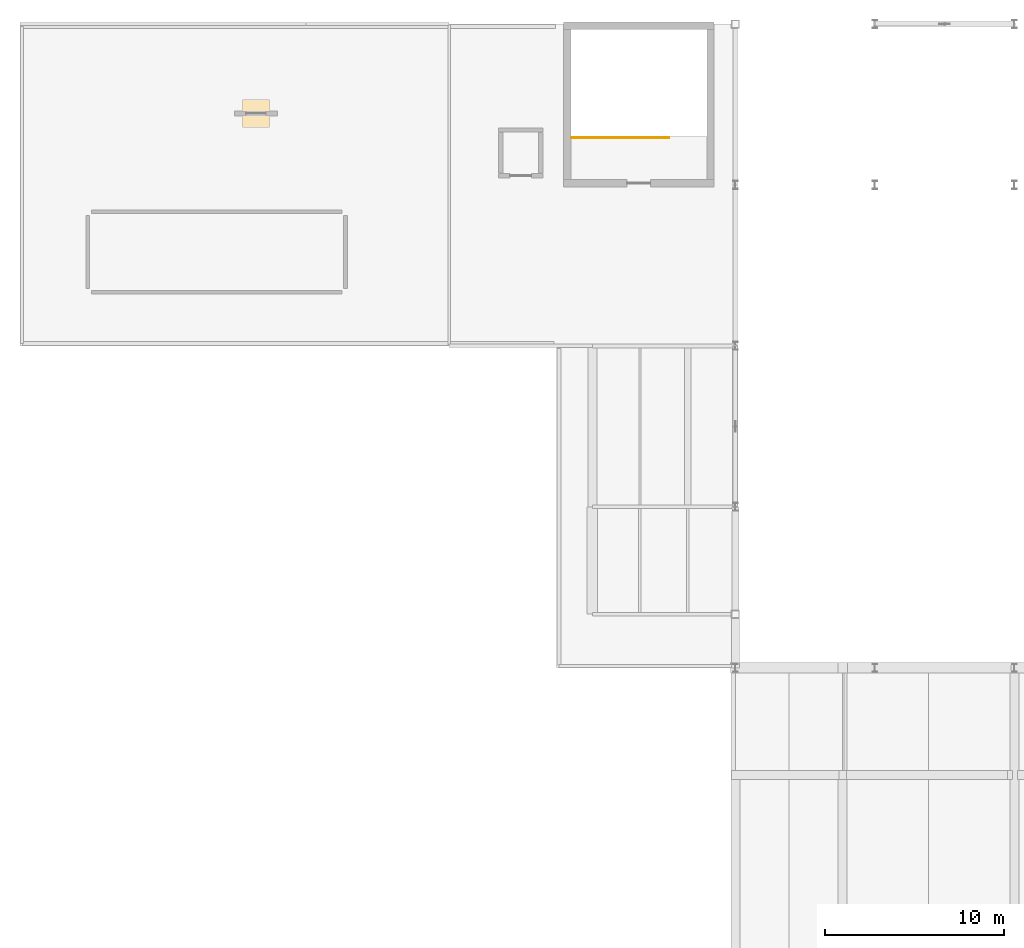
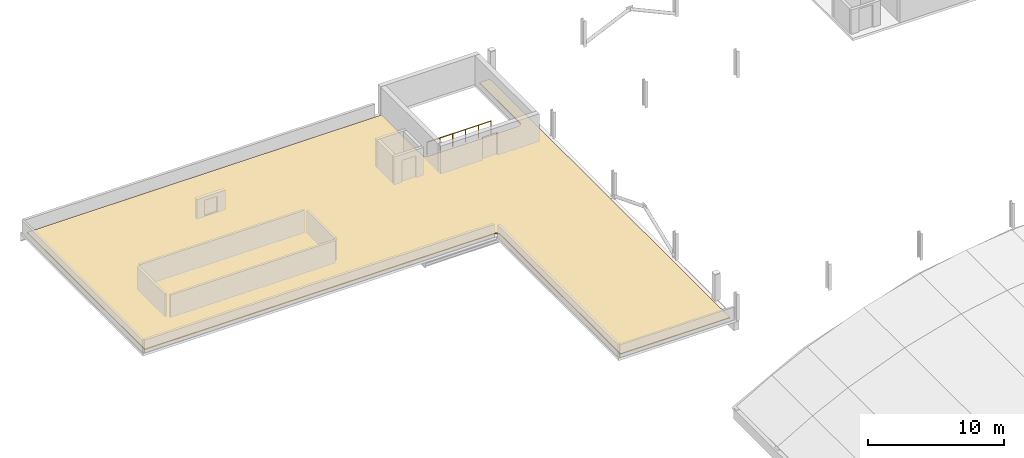
# One storey, part 12 of 12: 1 covering, 1 railing.
"""IFC4 building model written with IfcOpenShell, lengths in metres."""

from ifc_helpers import new_model, si_unit, derived_unit, direction, frame, origin, origin_2d, place, context, subcontext, project, spatial, polyline, circle, outline, extrude, material, layer, layer_set, type_object, element, save


model = new_model("IFC4")

# Units and contexts
model_context = context("Model", 3, precision=1e-05, world=origin(), true_north=direction((0.0, 1.0)))
body_context = subcontext(model_context, "Body", "Model", "MODEL_VIEW")
ifc_project = project(units=[si_unit("LENGTHUNIT", "METRE"), si_unit("AREAUNIT", "SQUARE_METRE"), si_unit("VOLUMEUNIT", "CUBIC_METRE"), si_unit("PLANEANGLEUNIT", "RADIAN"), si_unit("MASSUNIT", "GRAM", prefix="KILO"), derived_unit("THERMALTRANSMITTANCEUNIT", [(si_unit("POWERUNIT", "WATT"), 1), (si_unit("LENGTHUNIT", "METRE"), -2), (si_unit("THERMODYNAMICTEMPERATUREUNIT", "KELVIN"), -1)])], contexts=[model_context])

# Site, building, storey
site_placement = place(None, origin())
site = spatial("IfcSite", under=ifc_project, at=site_placement, CompositionType="ELEMENT")
building_placement = place(site_placement, origin())
building = spatial("IfcBuilding", under=site, at=building_placement, Name="Nallur Shell Playhouse", CompositionType="ELEMENT")
storey_placement = place(building_placement, frame((0.0, 0.0, 28.800048828125)))
storey = spatial("IfcBuildingStorey", under=building, at=storey_placement, Name="RF1", CompositionType="ELEMENT", Elevation=28.800048828125)

# Covering
ifc_material_1 = material(Name="Standing-Seam Zinc-Aluminium Acoustic Roof Build-Up", Category="aluminium")
ifc_layer = layer(ifc_material_1, 0.080078125)
ifc_layer_set = layer_set([ifc_layer], Name="Standing-Seam Zinc-Aluminium Acoustic Roof Build-Up")
covering_type = type_object("IfcCoveringType", Name="CV-ROOF-MEMB2", PredefinedType="ROOFING", material=ifc_layer_set)
covering_placement = place(storey_placement, origin())
element("IfcCovering", 1, at=covering_placement, inside=storey, type_object=covering_type, Name="RF1 insulated waterproof roof covering 42", PredefinedType="ROOFING", context=body_context, shape_type="SweptSolid", body=[
    extrude(outline(polyline([(54.35009765625, 65.0), (54.348388671875, 65.0341796875), (54.34326171875, 65.068359375), (54.3349609375, 65.1015625), (54.323486328125, 65.1337890625), (54.30859375, 65.1650390625), (54.291015625, 65.1943359375), (54.2705078125, 65.221923828125), (54.24755859375, 65.24755859375), (54.221923828125, 65.2705078125), (54.1943359375, 65.291015625), (54.1650390625, 65.30859375), (54.1337890625, 65.323486328125), (54.1015625, 65.3349609375), (54.068359375, 65.34326171875), (54.0341796875, 65.348388671875), (54.0, 65.35009765625), (24.35009765625, 65.35009765625), (24.35009765625, 82.64990234375), (54.449951171875, 82.64990234375), (54.449951171875, 76.699951171875), (54.45166015625, 76.665771484375), (54.456787109375, 76.631591796875), (54.465087890625, 76.598388671875), (54.4765625, 76.566162109375), (54.4912109375, 76.534912109375), (54.509033203125, 76.505615234375), (54.529296875, 76.47802734375), (54.552490234375, 76.452392578125), (54.577880859375, 76.429443359375), (54.605712890625, 76.408935546875), (54.635009765625, 76.391357421875), (54.666015625, 76.376708984375), (54.698486328125, 76.364990234375), (54.731689453125, 76.356689453125), (54.765625, 76.351806640625), (54.800048828125, 76.35009765625), (62.39990234375, 76.35009765625), (62.434326171875, 76.351806640625), (62.46826171875, 76.356689453125), (62.501708984375, 76.364990234375), (62.533935546875, 76.376708984375), (62.56494140625, 76.391357421875), (62.594482421875, 76.408935546875), (62.6220703125, 76.429443359375), (62.6474609375, 76.452392578125), (62.670654296875, 76.47802734375), (62.69091796875, 76.505615234375), (62.708740234375, 76.534912109375), (62.723388671875, 76.566162109375), (62.73486328125, 76.598388671875), (62.743408203125, 76.631591796875), (62.748291015625, 76.665771484375), (62.75, 76.699951171875), (62.75, 82.64990234375), (63.64990234375, 82.64990234375), (63.64990234375, 47.35009765625), (54.35009765625, 47.35009765625), (54.35009765625, 65.0)])), origin(), (0.0, 0.0, 1.0), 0.079833984375),
])

# Railing
ifc_material_2 = material(Name="Brushed Stainless Steel 316 Balustrade & Toughened Infill", Category="steel")
railing_type = type_object("IfcRailingType", Name="RL-GUARD-1100", PredefinedType="BALUSTRADE", material=ifc_material_2)
railing_placement = place(storey_placement, frame((54.840087890625, 76.639892578125, 0.0)))
element("IfcRailing", 2, at=railing_placement, inside=storey, type_object=railing_type, Name="Stair ST-03 top landing guardrail (RF1)", PredefinedType="BALUSTRADE", context=body_context, shape_type="SweptSolid", body=[
    extrude(circle(Radius=0.02392578125, at=origin_2d()), frame((0.0, 0.0, 1.1357421875), z_axis=(1.0, 0.0, 0.0), x_axis=(0.0, 1.0, 0.0)), (0.0, 0.0, 1.0), 5.43994140625),
    extrude(circle(Radius=0.02099609375, at=origin_2d()), origin(), (0.0, 0.0, 1.0), 1.11181640625),
    extrude(circle(Radius=0.02099609375, at=origin_2d()), frame((1.087890625, 0.0, 0.0)), (0.0, 0.0, 1.0), 1.11181640625),
    extrude(circle(Radius=0.02099609375, at=origin_2d()), frame((2.176025390625, 0.0, 0.0)), (0.0, 0.0, 1.0), 1.11181640625),
    extrude(circle(Radius=0.02099609375, at=origin_2d()), frame((3.263916015625, 0.0, 0.0)), (0.0, 0.0, 1.0), 1.11181640625),
    extrude(circle(Radius=0.02099609375, at=origin_2d()), frame((4.35205078125, 0.0, 0.0)), (0.0, 0.0, 1.0), 1.11181640625),
    extrude(circle(Radius=0.02099609375, at=origin_2d()), frame((5.43994140625, 0.0, 0.0)), (0.0, 0.0, 1.0), 1.11181640625),
])

save(model, "model.ifc")
